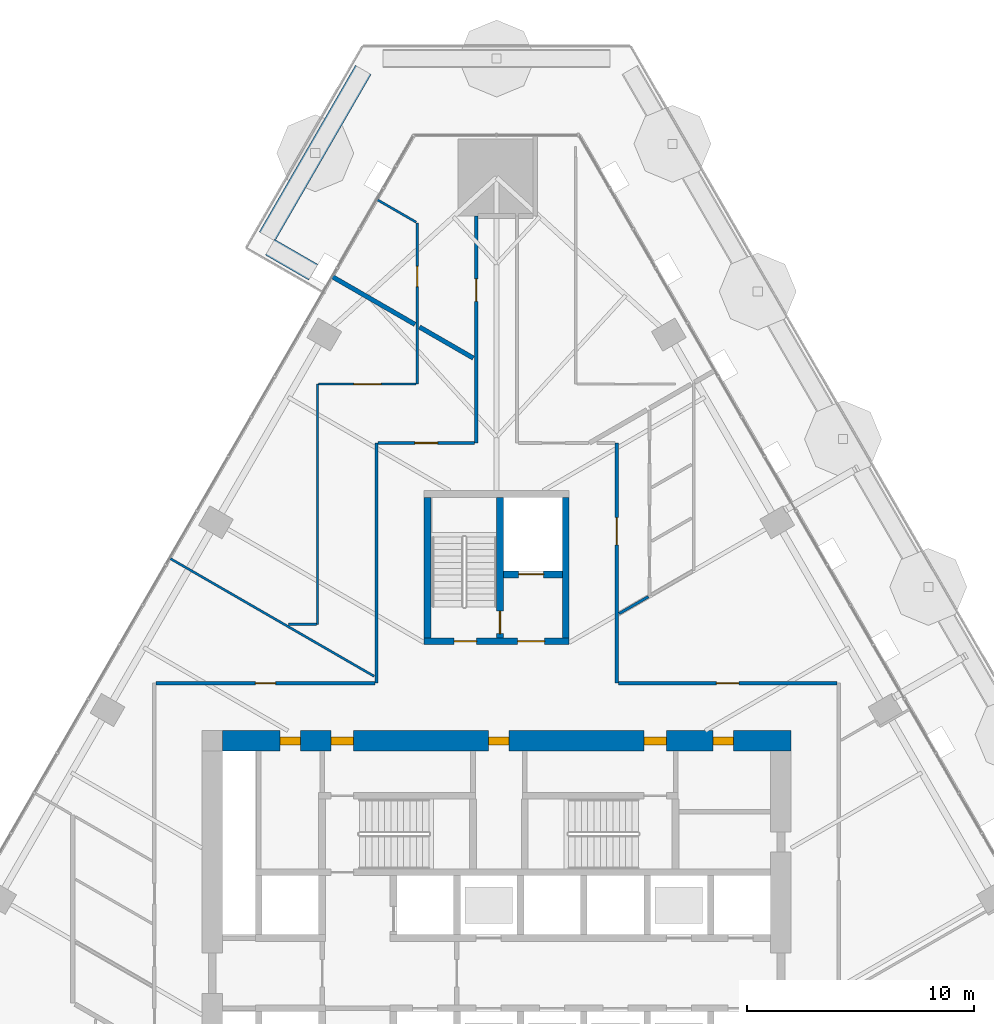
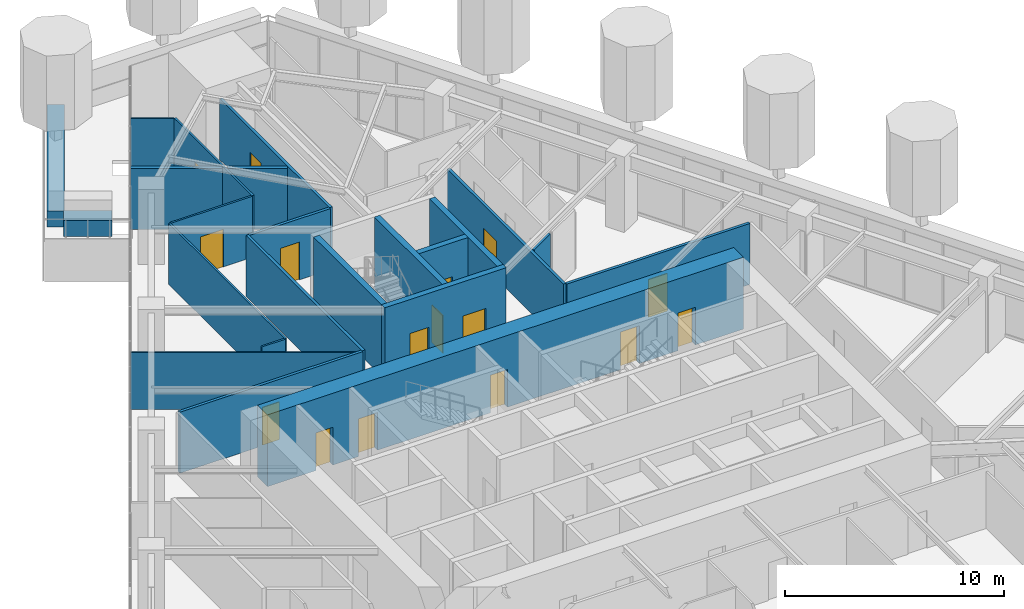
# One storey, part 20 of 26: 23 walls, 16 doors, 16 openings.
"""IFC4 building model written with IfcOpenShell, lengths in metres."""

from ifc_helpers import new_model, si_unit, direction, frame, frame_2d, origin, place, context, subcontext, project, spatial, rectangle, extrude, material, layer, layer_set, type_object, element, fill, save


model = new_model("IFC4")

# Units and contexts
model_context = context("Model", 3, precision=1e-05, world=origin(), true_north=direction((0.0, 1.0)))
body_context = subcontext(model_context, "Body", "Model", "MODEL_VIEW")
ifc_project = project(units=[si_unit("LENGTHUNIT", "METRE"), si_unit("AREAUNIT", "SQUARE_METRE"), si_unit("VOLUMEUNIT", "CUBIC_METRE"), si_unit("PLANEANGLEUNIT", "RADIAN"), si_unit("MASSUNIT", "GRAM", prefix="KILO")], contexts=[model_context])

# Site, building, storey
site_placement = place(None, origin())
site = spatial("IfcSite", under=ifc_project, at=site_placement, CompositionType="ELEMENT")
building_placement = place(site_placement, origin())
building = spatial("IfcBuilding", under=site, at=building_placement, Name="Firuza Gate Tower and Library", CompositionType="ELEMENT")
storey_placement = place(building_placement, frame((0.0, 0.0, 52.60009765625)))
storey = spatial("IfcBuildingStorey", under=building, at=storey_placement, Name="L11", CompositionType="ELEMENT", Elevation=52.60009765625)

# Wall, openings, doors
ifc_material_1 = material(Name="Concrete C80/95", Category="concrete")
ifc_layer_1 = layer(ifc_material_1, 0.300048828125)
ifc_layer_set_1 = layer_set([ifc_layer_1], Name="Core wall 300 C80/95")
wall_type_1 = type_object("IfcWallType", Name="Core wall 300 C80/95", PredefinedType="SHEAR", material=ifc_layer_set_1)
wall_1_placement = place(storey_placement, frame((71.800048828125, 87.949951171875, 0.0), z_axis=(0.0, 0.0, 1.0), x_axis=(1.0, 0.0, 0.0)))
wall_1 = element("IfcWall", 1, at=wall_1_placement, inside=storey, type_object=wall_type_1, Name="Core wall L11 34", PredefinedType="SHEAR", context=body_context, shape_type="SweptSolid", body=[
    extrude(rectangle(XDim=6.39990234375, YDim=0.300048828125, at=frame_2d((3.199951171875, 0.0))), origin(), (0.0, 0.0, 1.0), 4.0),
])
opening_1_placement = place(wall_1_placement, frame((1.324951171875, 0.0, 0.0)))
opening_1 = element("IfcOpeningElement", 2, at=opening_1_placement, cuts=wall_1, Name="Opening L11-K17", PredefinedType="OPENING", context=body_context, shape_type="SweptSolid", body=[
    extrude(rectangle(XDim=1.0, YDim=2.10009765625, at=frame_2d((0.5, 1.050048828125))), frame((0.0, 0.16015625, 0.0), z_axis=(0.0, -1.0, 0.0), x_axis=(1.0, 0.0, 0.0)), (0.0, 0.0, 1.0), 0.320068359375),
])
opening_2_placement = place(wall_1_placement, frame((4.125, 0.0, 0.0)))
opening_2 = element("IfcOpeningElement", 3, at=opening_2_placement, cuts=wall_1, Name="Opening L11-K19", PredefinedType="OPENING", context=body_context, shape_type="SweptSolid", body=[
    extrude(rectangle(XDim=1.199951171875, YDim=2.10009765625, at=frame_2d((0.60009765625, 1.050048828125))), frame((0.0, 0.16015625, 0.0), z_axis=(0.0, -1.0, 0.0), x_axis=(1.0, 0.0, 0.0)), (0.0, 0.0, 1.0), 0.320068359375),
])
ifc_material_2 = material(Name="Steel", Category="steel")
door_type_1 = type_object("IfcDoorType", Name="Fire door 1000x2100 FD90", OperationType="NOTDEFINED", PredefinedType="DOOR", material=ifc_material_2)
door_1_placement = place(opening_1_placement, origin())
door_1 = element("IfcDoor", 4, at=door_1_placement, inside=storey, type_object=door_type_1, Name="Door L11-K17", OperationType="SINGLE_SWING_RIGHT", OverallHeight=2.10009765625, OverallWidth=1.0, PredefinedType="DOOR", context=body_context, shape_type="SweptSolid", body=[
    extrude(rectangle(XDim=1.0, YDim=2.10009765625, at=frame_2d((0.5, 1.050048828125))), frame((0.0, 0.02490234375, 0.0), z_axis=(0.0, -1.0, 0.0), x_axis=(1.0, 0.0, 0.0)), (0.0, 0.0, 1.0), 0.050048828125),
])
fill(opening_1, door_1)
ifc_material_3 = material(Name="Steel", Category="steel")
door_type_2 = type_object("IfcDoorType", Name="Fire door 1200x2100 FD30S", OperationType="NOTDEFINED", PredefinedType="DOOR", material=ifc_material_3)
door_2_placement = place(opening_2_placement, origin())
door_2 = element("IfcDoor", 5, at=door_2_placement, inside=storey, type_object=door_type_2, Name="Door L11-K19", OperationType="SINGLE_SWING_RIGHT", OverallHeight=2.10009765625, OverallWidth=1.199951171875, PredefinedType="DOOR", context=body_context, shape_type="SweptSolid", body=[
    extrude(rectangle(XDim=1.199951171875, YDim=2.10009765625, at=frame_2d((0.60009765625, 1.050048828125))), frame((0.0, 0.02490234375, 0.0), z_axis=(0.0, -1.0, 0.0), x_axis=(1.0, 0.0, 0.0)), (0.0, 0.0, 1.0), 0.050048828125),
])
fill(opening_2, door_2)

# Walls
for number, where, z_axis, x_axis, name in (
    (6, (71.949951171875, 88.10009765625, 0.0), (0.0, 0.0, 1.0), (0.0, 1.0, 0.0), "Core wall L11 36"),
    (7, (78.050048828125, 88.10009765625, 0.0), (0.0, 0.0, 1.0), (0.0, 1.0, 0.0), "Core wall L11 37"),
):
    element("IfcWall", number, at=place(storey_placement, frame(where, z_axis=z_axis, x_axis=x_axis)), inside=storey, type_object=wall_type_1, Name=name, PredefinedType="SHEAR", context=body_context, shape_type="SweptSolid", body=[
        extrude(rectangle(XDim=6.199951171875, YDim=0.300048828125, at=frame_2d((3.10009765625, 0.0))), origin(), (0.0, 0.0, 1.0), 4.0),
    ])

# Wall, opening, door
wall_2_placement = place(storey_placement, frame((75.300048828125, 90.89990234375, 0.0), z_axis=(0.0, 0.0, 1.0), x_axis=(1.0, 0.0, 0.0)))
wall_2 = element("IfcWall", 8, at=wall_2_placement, inside=storey, type_object=wall_type_1, Name="Core wall L11 38", PredefinedType="SHEAR", context=body_context, shape_type="SweptSolid", body=[
    extrude(rectangle(XDim=2.599853515625, YDim=0.300048828125, at=frame_2d((1.2998046875, 0.0))), origin(), (0.0, 0.0, 1.0), 4.0),
])
opening_3_placement = place(wall_2_placement, frame((0.675048828125, 0.0, 0.0)))
opening_3 = element("IfcOpeningElement", 9, at=opening_3_placement, cuts=wall_2, Name="Opening LD-SV1-L11", PredefinedType="OPENING", context=body_context, shape_type="SweptSolid", body=[
    extrude(rectangle(XDim=1.10009765625, YDim=2.10009765625, at=frame_2d((0.550048828125, 1.050048828125))), frame((0.0, 0.16015625, 0.0), z_axis=(0.0, -1.0, 0.0), x_axis=(1.0, 0.0, 0.0)), (0.0, 0.0, 1.0), 0.320068359375),
])
ifc_material_4 = material(Name="Stainless steel", Category="steel")
door_type_3 = type_object("IfcDoorType", Name="Lift landing door 1100x2100", OperationType="DOUBLE_DOOR_SLIDING", PredefinedType="DOOR", material=ifc_material_4)
door_3_placement = place(opening_3_placement, origin())
door_3 = element("IfcDoor", 10, at=door_3_placement, inside=storey, type_object=door_type_3, Name="Landing door SV1 L11", OperationType="DOUBLE_DOOR_SLIDING", OverallHeight=2.10009765625, OverallWidth=1.10009765625, PredefinedType="DOOR", context=body_context, shape_type="SweptSolid", body=[
    extrude(rectangle(XDim=1.10009765625, YDim=2.10009765625, at=frame_2d((0.550048828125, 1.050048828125))), frame((0.0, 0.02490234375, 0.0), z_axis=(0.0, -1.0, 0.0), x_axis=(1.0, 0.0, 0.0)), (0.0, 0.0, 1.0), 0.050048828125),
])
fill(opening_3, door_3)

wall_3_placement = place(storey_placement, frame((75.14990234375, 88.10009765625, 0.0), z_axis=(0.0, 0.0, 1.0), x_axis=(0.0, 1.0, 0.0)))
wall_3 = element("IfcWall", 11, at=wall_3_placement, inside=storey, type_object=wall_type_1, Name="Core wall L11 39", PredefinedType="SHEAR", context=body_context, shape_type="SweptSolid", body=[
    extrude(rectangle(XDim=6.199951171875, YDim=0.300048828125, at=frame_2d((3.10009765625, 0.0))), origin(), (0.0, 0.0, 1.0), 4.0),
])
opening_4_placement = place(wall_3_placement, frame((0.18505859375, 0.0, 0.0)))
opening_4 = element("IfcOpeningElement", 12, at=opening_4_placement, cuts=wall_3, Name="Opening L11-K18", PredefinedType="OPENING", context=body_context, shape_type="SweptSolid", body=[
    extrude(rectangle(XDim=1.0, YDim=2.10009765625, at=frame_2d((0.5, 1.050048828125))), frame((0.0, 0.16015625, 0.0), z_axis=(0.0, -1.0, 0.0), x_axis=(1.0, 0.0, 0.0)), (0.0, 0.0, 1.0), 0.320068359375),
])
door_4_placement = place(opening_4_placement, origin())
door_4 = element("IfcDoor", 13, at=door_4_placement, inside=storey, type_object=door_type_1, Name="Door L11-K18", OperationType="SINGLE_SWING_LEFT", OverallHeight=2.10009765625, OverallWidth=1.0, PredefinedType="DOOR", context=body_context, shape_type="SweptSolid", body=[
    extrude(rectangle(XDim=1.0, YDim=2.10009765625, at=frame_2d((0.5, 1.050048828125))), frame((0.0, 0.02490234375, 0.0), z_axis=(0.0, -1.0, 0.0), x_axis=(1.0, 0.0, 0.0)), (0.0, 0.0, 1.0), 0.050048828125),
])
fill(opening_4, door_4)

# Wall, openings, doors
ifc_material_5 = material(Name="Concrete C80/95", Category="concrete")
ifc_layer_2 = layer(ifc_material_5, 0.89990234375)
ifc_layer_set_2 = layer_set([ifc_layer_2], Name="Core wall 900 C80/95")
wall_type_2 = type_object("IfcWallType", Name="Core wall 900 C80/95", PredefinedType="SHEAR", material=ifc_layer_set_2)
wall_4_placement = place(storey_placement, frame((62.89990234375, 83.550048828125, 0.0), z_axis=(0.0, 0.0, 1.0), x_axis=(1.0, 0.0, 0.0)))
wall_4 = element("IfcWall", 14, at=wall_4_placement, inside=storey, type_object=wall_type_2, Name="Core wall L11 2", PredefinedType="SHEAR", context=body_context, shape_type="SweptSolid", body=[
    extrude(rectangle(XDim=25.10009765625, YDim=0.89990234375, at=frame_2d((12.550048828125, 0.0))), origin(), (0.0, 0.0, 1.0), 4.0),
])
opening_5_placement = place(wall_4_placement, frame((4.794921875, 0.0, 0.0)))
opening_5 = element("IfcOpeningElement", 15, at=opening_5_placement, cuts=wall_4, Name="Opening L11-K14", PredefinedType="OPENING", context=body_context, shape_type="SweptSolid", body=[
    extrude(rectangle(XDim=1.0, YDim=2.10009765625, at=frame_2d((0.5, 1.050048828125))), frame((0.0, 0.4599609375, 0.0), z_axis=(0.0, -1.0, 0.0), x_axis=(1.0, 0.0, 0.0)), (0.0, 0.0, 1.0), 0.919921875),
])
opening_6_placement = place(wall_4_placement, frame((18.60498046875, 0.0, 0.0)))
opening_6 = element("IfcOpeningElement", 16, at=opening_6_placement, cuts=wall_4, Name="Opening L11-K16", PredefinedType="OPENING", context=body_context, shape_type="SweptSolid", body=[
    extrude(rectangle(XDim=1.0, YDim=2.10009765625, at=frame_2d((0.5, 1.050048828125))), frame((0.0, 0.4599609375, 0.0), z_axis=(0.0, -1.0, 0.0), x_axis=(1.0, 0.0, 0.0)), (0.0, 0.0, 1.0), 0.919921875),
])
opening_7_placement = place(wall_4_placement, frame((2.550048828125, 0.0, 0.0)))
opening_7 = element("IfcOpeningElement", 17, at=opening_7_placement, cuts=wall_4, Name="Opening L11-K29", PredefinedType="OPENING", context=body_context, shape_type="SweptSolid", body=[
    extrude(rectangle(XDim=0.89990234375, YDim=2.10009765625, at=frame_2d((0.449951171875, 1.050048828125))), frame((0.0, 0.4599609375, 0.0), z_axis=(0.0, -1.0, 0.0), x_axis=(1.0, 0.0, 0.0)), (0.0, 0.0, 1.0), 0.919921875),
])
opening_8_placement = place(wall_4_placement, frame((11.75, 0.0, 0.0)))
opening_8 = element("IfcOpeningElement", 18, at=opening_8_placement, cuts=wall_4, Name="Opening L11-K30", PredefinedType="OPENING", context=body_context, shape_type="SweptSolid", body=[
    extrude(rectangle(XDim=0.89990234375, YDim=2.10009765625, at=frame_2d((0.449951171875, 1.050048828125))), frame((0.0, 0.4599609375, 0.0), z_axis=(0.0, -1.0, 0.0), x_axis=(1.0, 0.0, 0.0)), (0.0, 0.0, 1.0), 0.919921875),
])
opening_9_placement = place(wall_4_placement, frame((21.64990234375, 0.0, 0.0)))
opening_9 = element("IfcOpeningElement", 19, at=opening_9_placement, cuts=wall_4, Name="Opening L11-K32", PredefinedType="OPENING", context=body_context, shape_type="SweptSolid", body=[
    extrude(rectangle(XDim=0.89990234375, YDim=2.10009765625, at=frame_2d((0.449951171875, 1.050048828125))), frame((0.0, 0.4599609375, 0.0), z_axis=(0.0, -1.0, 0.0), x_axis=(1.0, 0.0, 0.0)), (0.0, 0.0, 1.0), 0.919921875),
])
door_5_placement = place(opening_5_placement, origin())
door_5 = element("IfcDoor", 20, at=door_5_placement, inside=storey, type_object=door_type_1, Name="Door L11-K14", OperationType="SINGLE_SWING_LEFT", OverallHeight=2.10009765625, OverallWidth=1.0, PredefinedType="DOOR", context=body_context, shape_type="SweptSolid", body=[
    extrude(rectangle(XDim=1.0, YDim=2.10009765625, at=frame_2d((0.5, 1.050048828125))), frame((0.0, 0.169921875, 0.0), z_axis=(0.0, -1.0, 0.0), x_axis=(1.0, 0.0, 0.0)), (0.0, 0.0, 1.0), 0.33984375),
])
fill(opening_5, door_5)
door_6_placement = place(opening_6_placement, origin())
door_6 = element("IfcDoor", 21, at=door_6_placement, inside=storey, type_object=door_type_1, Name="Door L11-K16", OperationType="SINGLE_SWING_LEFT", OverallHeight=2.10009765625, OverallWidth=1.0, PredefinedType="DOOR", context=body_context, shape_type="SweptSolid", body=[
    extrude(rectangle(XDim=1.0, YDim=2.10009765625, at=frame_2d((0.5, 1.050048828125))), frame((0.0, 0.169921875, 0.0), z_axis=(0.0, -1.0, 0.0), x_axis=(1.0, 0.0, 0.0)), (0.0, 0.0, 1.0), 0.33984375),
])
fill(opening_6, door_6)
ifc_material_6 = material(Name="Steel", Category="steel")
door_type_4 = type_object("IfcDoorType", Name="Fire door 900x2100 FD30S", OperationType="NOTDEFINED", PredefinedType="DOOR", material=ifc_material_6)
door_7_placement = place(opening_7_placement, origin())
door_7 = element("IfcDoor", 22, at=door_7_placement, inside=storey, type_object=door_type_4, Name="Door L11-K29", OperationType="SINGLE_SWING_RIGHT", OverallHeight=2.10009765625, OverallWidth=0.89990234375, PredefinedType="DOOR", context=body_context, shape_type="SweptSolid", body=[
    extrude(rectangle(XDim=0.89990234375, YDim=2.10009765625, at=frame_2d((0.449951171875, 1.050048828125))), frame((0.0, 0.169921875, 0.0), z_axis=(0.0, -1.0, 0.0), x_axis=(1.0, 0.0, 0.0)), (0.0, 0.0, 1.0), 0.33984375),
])
fill(opening_7, door_7)
door_8_placement = place(opening_8_placement, origin())
door_8 = element("IfcDoor", 23, at=door_8_placement, inside=storey, type_object=door_type_4, Name="Door L11-K30", OperationType="SINGLE_SWING_LEFT", OverallHeight=2.10009765625, OverallWidth=0.89990234375, PredefinedType="DOOR", context=body_context, shape_type="SweptSolid", body=[
    extrude(rectangle(XDim=0.89990234375, YDim=2.10009765625, at=frame_2d((0.449951171875, 1.050048828125))), frame((0.0, 0.169921875, 0.0), z_axis=(0.0, -1.0, 0.0), x_axis=(1.0, 0.0, 0.0)), (0.0, 0.0, 1.0), 0.33984375),
])
fill(opening_8, door_8)
door_9_placement = place(opening_9_placement, origin())
door_9 = element("IfcDoor", 24, at=door_9_placement, inside=storey, type_object=door_type_4, Name="Door L11-K32", OperationType="SINGLE_SWING_LEFT", OverallHeight=2.10009765625, OverallWidth=0.89990234375, PredefinedType="DOOR", context=body_context, shape_type="SweptSolid", body=[
    extrude(rectangle(XDim=0.89990234375, YDim=2.10009765625, at=frame_2d((0.449951171875, 1.050048828125))), frame((0.0, 0.169921875, 0.0), z_axis=(0.0, -1.0, 0.0), x_axis=(1.0, 0.0, 0.0)), (0.0, 0.0, 1.0), 0.33984375),
])
fill(opening_9, door_9)

# Wall, opening, door
ifc_material_7 = material(Name="Gypsum board partition")
ifc_layer_3 = layer(ifc_material_7, 0.14990234375)
ifc_layer_set_3 = layer_set([ifc_layer_3], Name="Corridor wall 150 double board on steel studs")
wall_type_3 = type_object("IfcWallType", Name="Corridor wall 150 double board on steel studs", PredefinedType="PARTITIONING", material=ifc_layer_set_3)
wall_5_placement = place(storey_placement, frame((69.625, 86.10009765625, 0.0), z_axis=(0.0, 0.0, 1.0), x_axis=(-1.0, 0.0, 0.0)))
wall_5 = element("IfcWall", 25, at=wall_5_placement, inside=storey, type_object=wall_type_3, Name="f:L11:w003", PredefinedType="PARTITIONING", context=body_context, shape_type="SweptSolid", body=[
    extrude(rectangle(XDim=9.6494140625, YDim=0.14990234375, at=frame_2d((4.82470703125, 0.0))), origin(), (0.0, 0.0, 1.0), 3.39990234375),
])
opening_10_placement = place(wall_5_placement, frame((4.374755859375, 0.0, 0.0)))
opening_10 = element("IfcOpeningElement", 26, at=opening_10_placement, cuts=wall_5, Name="Opening L11-05", PredefinedType="OPENING", context=body_context, shape_type="SweptSolid", body=[
    extrude(rectangle(XDim=0.89990234375, YDim=2.10009765625, at=frame_2d((0.449951171875, 1.050048828125))), frame((0.0, 0.0849609375, 0.0), z_axis=(0.0, -1.0, 0.0), x_axis=(1.0, 0.0, 0.0)), (0.0, 0.0, 1.0), 0.169921875),
])
ifc_material_8 = material(Name="Steel door and timber leaf", Category="steel")
door_type_5 = type_object("IfcDoorType", Name="Fire door 900 x 2100 steel frame, timber leaf", OperationType="NOTDEFINED", PredefinedType="DOOR", material=ifc_material_8)
door_10_placement = place(opening_10_placement, origin())
door_10 = element("IfcDoor", 27, at=door_10_placement, inside=storey, type_object=door_type_5, Name="f:L11:d005", OperationType="SINGLE_SWING_LEFT", OverallHeight=2.10009765625, OverallWidth=0.89990234375, PredefinedType="DOOR", context=body_context, shape_type="SweptSolid", body=[
    extrude(rectangle(XDim=0.89990234375, YDim=2.10009765625, at=frame_2d((0.449951171875, 1.050048828125))), frame((0.0, 0.02490234375, 0.0), z_axis=(0.0, -1.0, 0.0), x_axis=(1.0, 0.0, 0.0)), (0.0, 0.0, 1.0), 0.050048828125),
])
fill(opening_10, door_10)

wall_6_placement = place(storey_placement, frame((80.375, 86.10009765625, 0.0), z_axis=(0.0, 0.0, 1.0), x_axis=(1.0, 0.0, 0.0)))
wall_6 = element("IfcWall", 28, at=wall_6_placement, inside=storey, type_object=wall_type_3, Name="f:L11:w004", PredefinedType="PARTITIONING", context=body_context, shape_type="SweptSolid", body=[
    extrude(rectangle(XDim=9.6494140625, YDim=0.14990234375, at=frame_2d((4.82470703125, 0.0))), origin(), (0.0, 0.0, 1.0), 3.39990234375),
])
opening_11_placement = place(wall_6_placement, frame((4.32470703125, 0.0, 0.0)))
opening_11 = element("IfcOpeningElement", 29, at=opening_11_placement, cuts=wall_6, Name="Opening L11-06", PredefinedType="OPENING", context=body_context, shape_type="SweptSolid", body=[
    extrude(rectangle(XDim=1.0, YDim=2.10009765625, at=frame_2d((0.5, 1.050048828125))), frame((0.0, 0.0849609375, 0.0), z_axis=(0.0, -1.0, 0.0), x_axis=(1.0, 0.0, 0.0)), (0.0, 0.0, 1.0), 0.169921875),
])
ifc_material_9 = material(Name="Steel door and timber leaf", Category="steel")
door_type_6 = type_object("IfcDoorType", Name="Fire door 1000 x 2100 steel frame, timber leaf", OperationType="NOTDEFINED", PredefinedType="DOOR", material=ifc_material_9)
door_11_placement = place(opening_11_placement, origin())
door_11 = element("IfcDoor", 30, at=door_11_placement, inside=storey, type_object=door_type_6, Name="f:L11:d006", OperationType="SINGLE_SWING_LEFT", OverallHeight=2.10009765625, OverallWidth=1.0, PredefinedType="DOOR", context=body_context, shape_type="SweptSolid", body=[
    extrude(rectangle(XDim=1.0, YDim=2.10009765625, at=frame_2d((0.5, 1.050048828125))), frame((0.0, 0.02490234375, 0.0), z_axis=(0.0, -1.0, 0.0), x_axis=(1.0, 0.0, 0.0)), (0.0, 0.0, 1.0), 0.050048828125),
])
fill(opening_11, door_11)

wall_7_placement = place(storey_placement, frame((74.02490234375, 96.699951171875, 0.0), z_axis=(0.0, 0.0, 1.0), x_axis=(-1.0, 0.0, 0.0)))
wall_7 = element("IfcWall", 31, at=wall_7_placement, inside=storey, type_object=wall_type_3, Name="f:L11:w006", PredefinedType="PARTITIONING", context=body_context, shape_type="SweptSolid", body=[
    extrude(rectangle(XDim=4.25, YDim=0.14990234375, at=frame_2d((2.125, 0.0))), origin(), (0.0, 0.0, 1.0), 3.39990234375),
])
opening_12_placement = place(wall_7_placement, frame((1.625, 0.0, 0.0)))
opening_12 = element("IfcOpeningElement", 32, at=opening_12_placement, cuts=wall_7, Name="Opening L11-07", PredefinedType="OPENING", context=body_context, shape_type="SweptSolid", body=[
    extrude(rectangle(XDim=1.0, YDim=2.10009765625, at=frame_2d((0.5, 1.050048828125))), frame((0.0, 0.0849609375, 0.0), z_axis=(0.0, -1.0, 0.0), x_axis=(1.0, 0.0, 0.0)), (0.0, 0.0, 1.0), 0.169921875),
])
door_12_placement = place(opening_12_placement, origin())
door_12 = element("IfcDoor", 33, at=door_12_placement, inside=storey, type_object=door_type_6, Name="f:L11:d007", OperationType="SINGLE_SWING_RIGHT", OverallHeight=2.10009765625, OverallWidth=1.0, PredefinedType="DOOR", context=body_context, shape_type="SweptSolid", body=[
    extrude(rectangle(XDim=1.0, YDim=2.10009765625, at=frame_2d((0.5, 1.050048828125))), frame((0.0, 0.02490234375, 0.0), z_axis=(0.0, -1.0, 0.0), x_axis=(1.0, 0.0, 0.0)), (0.0, 0.0, 1.0), 0.050048828125),
])
fill(opening_12, door_12)

wall_8_placement = place(storey_placement, frame((80.300048828125, 96.699951171875, 0.0), z_axis=(0.0, 0.0, 1.0), x_axis=(0.0, -1.0, 0.0)))
wall_8 = element("IfcWall", 34, at=wall_8_placement, inside=storey, type_object=wall_type_3, Name="f:L11:w035", PredefinedType="PARTITIONING", context=body_context, shape_type="SweptSolid", body=[
    extrude(rectangle(XDim=10.599853515625, YDim=0.14990234375, at=frame_2d((5.2998046875, 0.0))), origin(), (0.0, 0.0, 1.0), 3.39990234375),
])
opening_13_placement = place(wall_8_placement, frame((3.2978515625, 0.0, 0.0)))
opening_13 = element("IfcOpeningElement", 35, at=opening_13_placement, cuts=wall_8, Name="Opening L11-24", PredefinedType="OPENING", context=body_context, shape_type="SweptSolid", body=[
    extrude(rectangle(XDim=1.199951171875, YDim=2.10009765625, at=frame_2d((0.60009765625, 1.050048828125))), frame((0.0, 0.0849609375, 0.0), z_axis=(0.0, -1.0, 0.0), x_axis=(1.0, 0.0, 0.0)), (0.0, 0.0, 1.0), 0.169921875),
])
ifc_material_10 = material(Name="Steel door and timber leaf", Category="steel")
door_type_7 = type_object("IfcDoorType", Name="Fire door 1200 x 2100 steel frame, double leaf", OperationType="NOTDEFINED", PredefinedType="DOOR", material=ifc_material_10)
door_13_placement = place(opening_13_placement, origin())
door_13 = element("IfcDoor", 36, at=door_13_placement, inside=storey, type_object=door_type_7, Name="f:L11:d024", OperationType="DOUBLE_DOOR_SINGLE_SWING", OverallHeight=2.10009765625, OverallWidth=1.199951171875, PredefinedType="DOOR", context=body_context, shape_type="SweptSolid", body=[
    extrude(rectangle(XDim=1.199951171875, YDim=2.10009765625, at=frame_2d((0.60009765625, 1.050048828125))), frame((0.0, 0.02490234375, 0.0), z_axis=(0.0, -1.0, 0.0), x_axis=(1.0, 0.0, 0.0)), (0.0, 0.0, 1.0), 0.050048828125),
])
fill(opening_13, door_13)

wall_9_placement = place(storey_placement, frame((74.10009765625, 96.699951171875, 0.0), z_axis=(0.0, 0.0, 1.0), x_axis=(0.0, 1.0, 0.0)))
wall_9 = element("IfcWall", 37, at=wall_9_placement, inside=storey, type_object=wall_type_3, Name="f:L11:w042", PredefinedType="PARTITIONING", context=body_context, shape_type="SweptSolid", body=[
    extrude(rectangle(XDim=10.019775390625, YDim=0.14990234375, at=frame_2d((5.009765625, 0.0))), origin(), (0.0, 0.0, 1.0), 3.39990234375),
])
opening_14_placement = place(wall_9_placement, frame((6.246337890625, 0.0, 0.0)))
opening_14 = element("IfcOpeningElement", 38, at=opening_14_placement, cuts=wall_9, Name="Opening L11-25", PredefinedType="OPENING", context=body_context, shape_type="SweptSolid", body=[
    extrude(rectangle(XDim=1.0, YDim=2.10009765625, at=frame_2d((0.5, 1.050048828125))), frame((0.0, 0.0849609375, 0.0), z_axis=(0.0, -1.0, 0.0), x_axis=(1.0, 0.0, 0.0)), (0.0, 0.0, 1.0), 0.169921875),
])
door_14_placement = place(opening_14_placement, origin())
door_14 = element("IfcDoor", 39, at=door_14_placement, inside=storey, type_object=door_type_6, Name="f:L11:d025", OperationType="SINGLE_SWING_RIGHT", OverallHeight=2.10009765625, OverallWidth=1.0, PredefinedType="DOOR", context=body_context, shape_type="SweptSolid", body=[
    extrude(rectangle(XDim=1.0, YDim=2.10009765625, at=frame_2d((0.5, 1.050048828125))), frame((0.0, 0.02490234375, 0.0), z_axis=(0.0, -1.0, 0.0), x_axis=(1.0, 0.0, 0.0)), (0.0, 0.0, 1.0), 0.050048828125),
])
fill(opening_14, door_14)

# Walls
wall_10_placement = place(storey_placement, frame((69.699951171875, 86.10009765625, 0.0), z_axis=(0.0, 0.0, 1.0), x_axis=(0.0, 1.0, 0.0)))
element("IfcWall", 40, at=wall_10_placement, inside=storey, type_object=wall_type_3, Name="f:L11:w044", PredefinedType="PARTITIONING", context=body_context, shape_type="SweptSolid", body=[
    extrude(rectangle(XDim=10.599853515625, YDim=0.14990234375, at=frame_2d((5.2998046875, 0.0))), origin(), (0.0, 0.0, 1.0), 3.39990234375),
])
ifc_material_11 = material(Name="Gypsum board partition")
ifc_layer_4 = layer(ifc_material_11, 0.199951171875)
ifc_layer_set_4 = layer_set([ifc_layer_4], Name="Demising wall 200 acoustic double stud")
wall_type_4 = type_object("IfcWallType", Name="Demising wall 200 acoustic double stud", PredefinedType="PARTITIONING", material=ifc_layer_set_4)
wall_11_placement = place(storey_placement, frame((73.972900390625, 100.44921875, 0.0), z_axis=(0.0, 0.0, 1.0), x_axis=(-0.866035715982, 0.499982138324, 0.0)))
element("IfcWall", 41, at=wall_11_placement, inside=storey, type_object=wall_type_4, Name="f:L11:w058", PredefinedType="PARTITIONING", context=body_context, shape_type="SweptSolid", body=[
    extrude(rectangle(XDim=2.73974609375, YDim=0.199951171875, at=frame_2d((1.369873046875, 0.0))), origin(), (0.0, 0.0, 1.0), 3.39990234375),
])
wall_12_placement = place(storey_placement, frame((71.39990234375, 101.9345703125, 0.0), z_axis=(0.0, 0.0, 1.0), x_axis=(-0.866003715822, 0.500037562771, 0.0)))
element("IfcWall", 42, at=wall_12_placement, inside=storey, type_object=wall_type_4, Name="f:L11:w077", PredefinedType="PARTITIONING", context=body_context, shape_type="SweptSolid", body=[
    extrude(rectangle(XDim=4.202880859375, YDim=0.199951171875, at=frame_2d((2.1015625, 0.0))), origin(), (0.0, 0.0, 1.0), 3.39990234375),
])
ifc_material_12 = material(Name="Gypsum board partition")
ifc_layer_5 = layer(ifc_material_12, 0.10009765625)
ifc_layer_set_5 = layer_set([ifc_layer_5], Name="Partition 100 gypsum board on steel studs")
wall_type_5 = type_object("IfcWallType", Name="Partition 100 gypsum board on steel studs", PredefinedType="PARTITIONING", material=ifc_layer_set_5)
wall_13_placement = place(storey_placement, frame((65.811767578125, 88.699951171875, 0.0), z_axis=(0.0, 0.0, 1.0), x_axis=(1.0, 0.0, 0.0)))
element("IfcWall", 43, at=wall_13_placement, inside=storey, type_object=wall_type_5, Name="f:L11:w005", PredefinedType="PARTITIONING", context=body_context, shape_type="SweptSolid", body=[
    extrude(rectangle(XDim=1.23828125, YDim=0.10009765625, at=frame_2d((0.619140625, 0.0))), origin(), (0.0, 0.0, 1.0), 3.39990234375),
])

# Wall, opening, door
wall_14_placement = place(storey_placement, frame((71.449951171875, 99.300048828125, 0.0), z_axis=(0.0, 0.0, 1.0), x_axis=(-1.0, 0.0, 0.0)))
wall_14 = element("IfcWall", 44, at=wall_14_placement, inside=storey, type_object=wall_type_5, Name="f:L11:w008", PredefinedType="PARTITIONING", context=body_context, shape_type="SweptSolid", body=[
    extrude(rectangle(XDim=4.300048828125, YDim=0.10009765625, at=frame_2d((2.14990234375, 0.0))), origin(), (0.0, 0.0, 1.0), 3.39990234375),
])
opening_15_placement = place(wall_14_placement, frame((1.550048828125, 0.0, 0.0)))
opening_15 = element("IfcOpeningElement", 45, at=opening_15_placement, cuts=wall_14, Name="Opening L11-09", PredefinedType="OPENING", context=body_context, shape_type="SweptSolid", body=[
    extrude(rectangle(XDim=1.199951171875, YDim=2.10009765625, at=frame_2d((0.60009765625, 1.050048828125))), frame((0.0, 0.06005859375, 0.0), z_axis=(0.0, -1.0, 0.0), x_axis=(1.0, 0.0, 0.0)), (0.0, 0.0, 1.0), 0.1201171875),
])
ifc_material_13 = material(Name="Glazed aluminium door", Category="aluminium")
door_type_8 = type_object("IfcDoorType", Name="Door 1200 x 2100 glazed double leaf", OperationType="NOTDEFINED", PredefinedType="DOOR", material=ifc_material_13)
door_15_placement = place(opening_15_placement, origin())
door_15 = element("IfcDoor", 46, at=door_15_placement, inside=storey, type_object=door_type_8, Name="f:L11:d009", OperationType="DOUBLE_DOOR_SINGLE_SWING", OverallHeight=2.10009765625, OverallWidth=1.199951171875, PredefinedType="DOOR", context=body_context, shape_type="SweptSolid", body=[
    extrude(rectangle(XDim=1.199951171875, YDim=2.10009765625, at=frame_2d((0.60009765625, 1.050048828125))), frame((0.0, 0.02490234375, 0.0), z_axis=(0.0, -1.0, 0.0), x_axis=(1.0, 0.0, 0.0)), (0.0, 0.0, 1.0), 0.050048828125),
])
fill(opening_15, door_15)

wall_15_placement = place(storey_placement, frame((71.5, 106.418212890625, 0.0), z_axis=(0.0, 0.0, 1.0), x_axis=(0.0, -1.0, 0.0)))
wall_15 = element("IfcWall", 47, at=wall_15_placement, inside=storey, type_object=wall_type_5, Name="f:L11:w043", PredefinedType="PARTITIONING", context=body_context, shape_type="SweptSolid", body=[
    extrude(rectangle(XDim=7.1181640625, YDim=0.10009765625, at=frame_2d((3.55908203125, 0.0))), origin(), (0.0, 0.0, 1.0), 3.39990234375),
])
opening_16_placement = place(wall_15_placement, frame((1.920654296875, 0.0, 0.0)))
opening_16 = element("IfcOpeningElement", 48, at=opening_16_placement, cuts=wall_15, Name="Opening L11-26", PredefinedType="OPENING", context=body_context, shape_type="SweptSolid", body=[
    extrude(rectangle(XDim=0.89990234375, YDim=2.10009765625, at=frame_2d((0.449951171875, 1.050048828125))), frame((0.0, 0.06005859375, 0.0), z_axis=(0.0, -1.0, 0.0), x_axis=(1.0, 0.0, 0.0)), (0.0, 0.0, 1.0), 0.1201171875),
])
ifc_material_14 = material(Name="Timber door", Category="wood")
door_type_9 = type_object("IfcDoorType", Name="Door 900 x 2100 timber leaf", OperationType="NOTDEFINED", PredefinedType="DOOR", material=ifc_material_14)
door_16_placement = place(opening_16_placement, origin())
door_16 = element("IfcDoor", 49, at=door_16_placement, inside=storey, type_object=door_type_9, Name="f:L11:d026", OperationType="SINGLE_SWING_RIGHT", OverallHeight=2.10009765625, OverallWidth=0.89990234375, PredefinedType="DOOR", context=body_context, shape_type="SweptSolid", body=[
    extrude(rectangle(XDim=0.89990234375, YDim=2.10009765625, at=frame_2d((0.449951171875, 1.050048828125))), frame((0.0, 0.02490234375, 0.0), z_axis=(0.0, -1.0, 0.0), x_axis=(1.0, 0.0, 0.0)), (0.0, 0.0, 1.0), 0.050048828125),
])
fill(opening_16, door_16)

# Walls
wall_16_placement = place(storey_placement, frame((67.10009765625, 88.699951171875, 0.0), z_axis=(0.0, 0.0, 1.0), x_axis=(0.0, 1.0, 0.0)))
element("IfcWall", 50, at=wall_16_placement, inside=storey, type_object=wall_type_5, Name="f:L11:w045", PredefinedType="PARTITIONING", context=body_context, shape_type="SweptSolid", body=[
    extrude(rectangle(XDim=10.60009765625, YDim=0.10009765625, at=frame_2d((5.300048828125, 0.0))), origin(), (0.0, 0.0, 1.0), 3.39990234375),
])
wall_17_placement = place(storey_placement, frame((71.449951171875, 106.447265625, 0.0), z_axis=(0.0, 0.0, 1.0), x_axis=(-0.866022120267, 0.500005687176, 0.0)))
element("IfcWall", 51, at=wall_17_placement, inside=storey, type_object=wall_type_5, Name="f:L11:w057", PredefinedType="PARTITIONING", context=body_context, shape_type="SweptSolid", body=[
    extrude(rectangle(XDim=1.98974609375, YDim=0.10009765625, at=frame_2d((0.994873046875, 0.0))), origin(), (0.0, 0.0, 1.0), 3.39990234375),
])
wall_18_placement = place(storey_placement, frame((69.598876953125, 86.403564453125, 0.0), z_axis=(0.0, 0.0, 1.0), x_axis=(-0.866034815185, 0.499983698621, 0.0)))
element("IfcWall", 52, at=wall_18_placement, inside=storey, type_object=wall_type_5, Name="f:L11:w059", PredefinedType="PARTITIONING", context=body_context, shape_type="SweptSolid", body=[
    extrude(rectangle(XDim=10.408447265625, YDim=0.10009765625, at=frame_2d((5.2041015625, 0.0))), origin(), (0.0, 0.0, 1.0), 3.164794921875),
])
ifc_material_15 = material(Name="Concrete C40/50", Category="concrete")
ifc_layer_6 = layer(ifc_material_15, 0.800048828125)
ifc_layer_set_6 = layer_set([ifc_layer_6], Name="Planter wall 800")
wall_type_6 = type_object("IfcWallType", Name="Planter wall 800", PredefinedType="SOLIDWALL", material=ifc_layer_set_6)
wall_19_placement = place(storey_placement, frame((69.116943359375, 113.165771484375, 0.0), z_axis=(0.0, 0.0, 1.0), x_axis=(-0.5000081092, -0.866020721885, 0.0)))
element("IfcWall", 53, at=wall_19_placement, inside=storey, type_object=wall_type_6, Name="PLANTER L11 6", PredefinedType="SOLIDWALL", context=body_context, shape_type="SweptSolid", body=[
    extrude(rectangle(XDim=8.483154296875, YDim=0.800048828125, at=frame_2d((4.24169921875, 0.0))), origin(), (0.0, 0.0, 1.0), 0.89990234375),
])
wall_20_placement = place(storey_placement, frame((65.00341796875, 105.341064453125, 0.0), z_axis=(0.0, 0.0, 1.0), x_axis=(0.866008176907, -0.50002983664, 0.0)))
element("IfcWall", 54, at=wall_20_placement, inside=storey, type_object=wall_type_6, Name="PLANTER L11 7", PredefinedType="SOLIDWALL", context=body_context, shape_type="SweptSolid", body=[
    extrude(rectangle(XDim=2.199951171875, YDim=0.800048828125, at=frame_2d((1.10009765625, 0.0))), origin(), (0.0, 0.0, 1.0), 0.89990234375),
])
ifc_material_16 = material(Name="Gypsum board partition")
ifc_layer_7 = layer(ifc_material_16, 0.1201171875)
ifc_layer_set_7 = layer_set([ifc_layer_7], Name="Wet-area partition 120 moisture-resistant board")
wall_type_7 = type_object("IfcWallType", Name="Wet-area partition 120 moisture-resistant board", PredefinedType="PARTITIONING", material=ifc_layer_set_7)
wall_21_placement = place(storey_placement, frame((80.40966796875, 89.17041015625, 0.0), z_axis=(0.0, 0.0, 1.0), x_axis=(0.866055123991, 0.49994851956, 0.0)))
element("IfcWall", 55, at=wall_21_placement, inside=storey, type_object=wall_type_7, Name="f:L11:w023", PredefinedType="PARTITIONING", context=body_context, shape_type="SweptSolid", body=[
    extrude(rectangle(XDim=1.495849609375, YDim=0.1201171875, at=frame_2d((0.748046875, 0.0))), origin(), (0.0, 0.0, 1.0), 3.39990234375),
])

save(model, "model.ifc")
